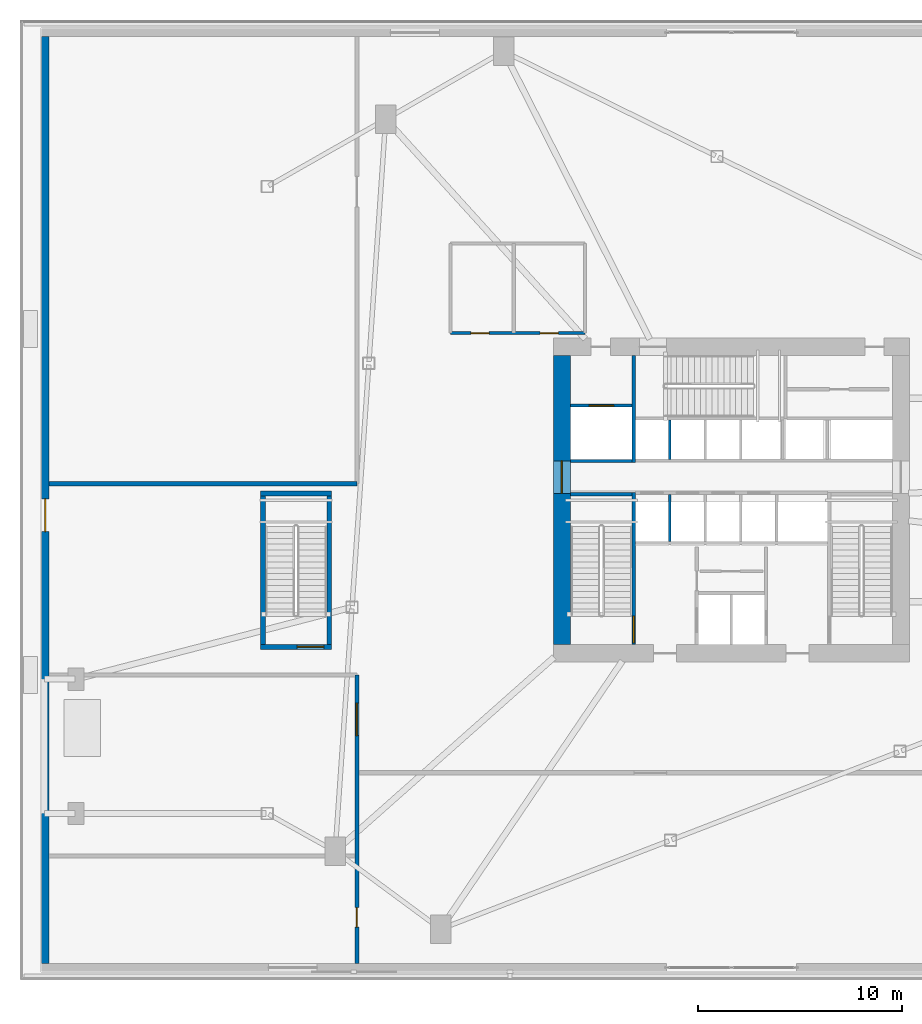
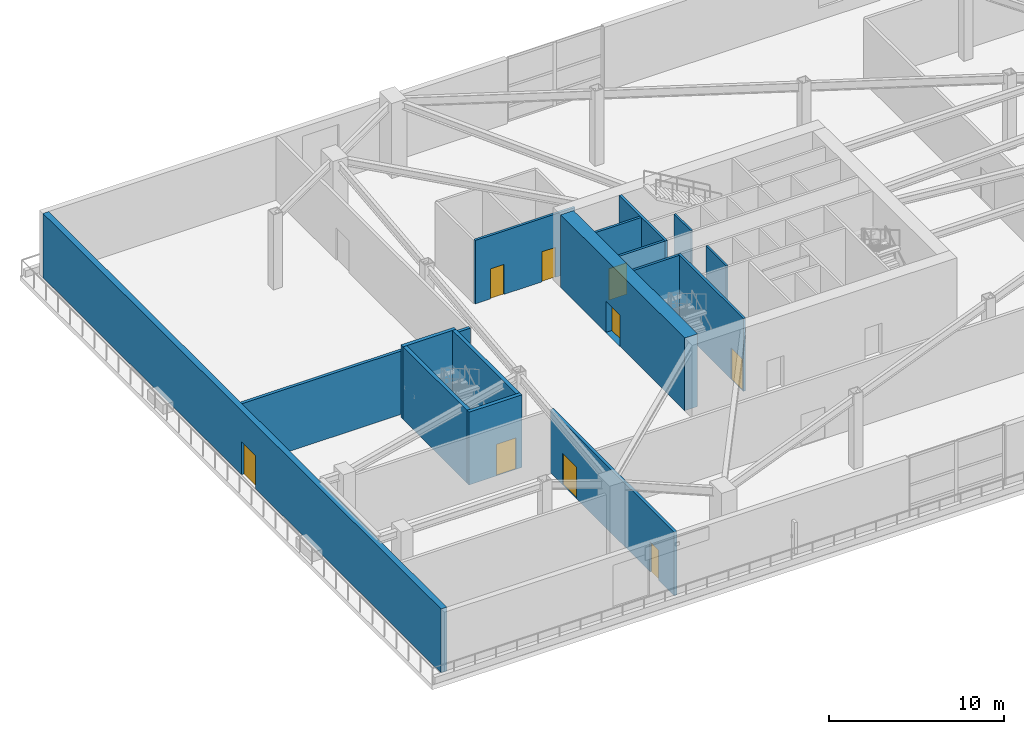
# One storey, part 8 of 15: 16 walls, 9 doors, 9 openings.
"""IFC4 building model written with IfcOpenShell, lengths in metres."""

from ifc_helpers import new_model, si_unit, direction, frame, frame_2d, origin, place, context, subcontext, project, spatial, rectangle, extrude, source, transform, mapped, material, layer, layer_set, type_object, type_shapes, element, fill, save


model = new_model("IFC4")

# Units and contexts
model_context = context("Model", 3, precision=1e-05, world=origin(), true_north=direction((0.0, 1.0)))
body_context = subcontext(model_context, "Body", "Model", "MODEL_VIEW")
ifc_project = project(units=[si_unit("LENGTHUNIT", "METRE"), si_unit("AREAUNIT", "SQUARE_METRE"), si_unit("VOLUMEUNIT", "CUBIC_METRE"), si_unit("PLANEANGLEUNIT", "RADIAN"), si_unit("MASSUNIT", "GRAM", prefix="KILO")], contexts=[model_context])

# Site, building, storey
site_placement = place(None, origin())
site = spatial("IfcSite", under=ifc_project, at=site_placement, CompositionType="ELEMENT")
building_placement = place(site_placement, origin())
building = spatial("IfcBuilding", under=site, at=building_placement, Name="Olszyna Solenne Hotel", CompositionType="ELEMENT")
storey_placement = place(building_placement, frame((0.0, 0.0, 10.199951171875)))
storey = spatial("IfcBuildingStorey", under=building, at=storey_placement, Name="L02", CompositionType="ELEMENT", Elevation=10.199951171875)

# Wall, opening, door
ifc_material_1 = material(Name="Concrete C60/75", Category="concrete")
ifc_layer_1 = layer(ifc_material_1, 0.85009765625, Name="Concrete C60/75")
ifc_layer_set_1 = layer_set([ifc_layer_1], Name="Concrete C60/75")
wall_type_1 = type_object("IfcWallType", Name="WL-CR850", PredefinedType="SHEAR", material=ifc_layer_set_1)
wall_1_placement = place(storey_placement, frame((29.675048828125, 19.5, 0.0), z_axis=(0.0, 0.0, 1.0), x_axis=(0.0, 1.0, 0.0)))
wall_1 = element("IfcWall", 1, at=wall_1_placement, inside=storey, type_object=wall_type_1, Name="Core shear wall WL-CR850 CRW-L02-W", PredefinedType="SHEAR", context=body_context, shape_type="SweptSolid", body=[
    extrude(rectangle(XDim=14.199951171875, YDim=0.85009765625, at=frame_2d((7.10009765625, 0.0))), origin(), (0.0, 0.0, 1.0), 5.080078125),
])
opening_1_placement = place(wall_1_placement, frame((7.419921875, 0.0, 0.0)))
opening_1 = element("IfcOpeningElement", 2, at=opening_1_placement, cuts=wall_1, Name="Opening LHD-L02-W", PredefinedType="OPENING", context=body_context, shape_type="SweptSolid", body=[
    extrude(rectangle(XDim=1.60009765625, YDim=2.199951171875, at=frame_2d((0.800048828125, 1.10009765625))), frame((0.0, 0.43505859375, 0.0), z_axis=(0.0, -1.0, 0.0), x_axis=(1.0, 0.0, 0.0)), (0.0, 0.0, 1.0), 0.8701171875),
])
ifc_material_2 = material(Name="Timber hardwood", Category="wood")
door_type_1 = type_object("IfcDoorType", Name="DR-CR1", OperationType="DOUBLE_DOOR_SINGLE_SWING", PredefinedType="DOOR", material=ifc_material_2)
shared_shape_1 = source(origin(), body_context, "Body", "SweptSolid", [
    extrude(rectangle(XDim=1.60009765625, YDim=2.199951171875, at=frame_2d((0.800048828125, 1.10009765625))), frame((0.0, 0.02490234375, 0.0), z_axis=(0.0, -1.0, 0.0), x_axis=(1.0, 0.0, 0.0)), (0.0, 0.0, 1.0), 0.050048828125),
])
type_shapes(door_type_1, [shared_shape_1])
door_1_placement = place(opening_1_placement, origin())
door_1 = element("IfcDoor", 3, at=door_1_placement, inside=storey, type_object=door_type_1, Name="Passenger lift lobby West fire door LHD-L02-W", OperationType="DOUBLE_DOOR_SINGLE_SWING", OverallHeight=2.199951171875, OverallWidth=1.60009765625, PredefinedType="DOOR", context=body_context, shape_type="MappedRepresentation", body=[
    mapped(shared_shape_1, transform((0.0, 0.0, 0.0), x_axis=(1.0, 0.0, 0.0), y_axis=(0.0, 1.0, 0.0), z_axis=(0.0, 0.0, 1.0), scale=1.0)),
])
fill(opening_1, door_1)

ifc_material_3 = material(Name="Terracotta cladding on precast concrete C45/55", Category="masonry")
ifc_layer_2 = layer(ifc_material_3, 0.3798828125, Name="Terracotta cladding on precast concrete C45/55")
ifc_layer_set_2 = layer_set([ifc_layer_2], Name="Terracotta cladding on precast concrete C45/55")
wall_type_2 = type_object("IfcWallType", Name="WL-EX380", PredefinedType="SOLIDWALL", material=ifc_layer_set_2)
wall_2_placement = place(storey_placement, frame((4.2900390625, 3.820068359375, 0.0), z_axis=(0.0, 0.0, 1.0), x_axis=(0.0, 1.0, 0.0)))
wall_2 = element("IfcWall", 4, at=wall_2_placement, inside=storey, type_object=wall_type_2, Name="Podium terracotta-precast exterior wall EW-L02-W", PredefinedType="SOLIDWALL", context=body_context, shape_type="SweptSolid", body=[
    extrude(rectangle(XDim=45.559814453125, YDim=0.3798828125, at=frame_2d((22.77978515625, 0.0))), origin(), (0.0, 0.0, 1.0), 4.47216796875),
])
opening_2_placement = place(wall_2_placement, frame((21.22998046875, 0.0, 0.0)))
opening_2 = element("IfcOpeningElement", 5, at=opening_2_placement, cuts=wall_2, Name="Opening TD-L02-W", PredefinedType="OPENING", context=body_context, shape_type="SweptSolid", body=[
    extrude(rectangle(XDim=1.60009765625, YDim=2.300048828125, at=frame_2d((0.800048828125, 1.14990234375))), frame((0.0, 0.199951171875, 0.0), z_axis=(0.0, -1.0, 0.0), x_axis=(1.0, 0.0, 0.0)), (0.0, 0.0, 1.0), 0.39990234375),
])
ifc_material_4 = material(Name="Anodised bronze aluminium", Category="aluminium")
door_type_2 = type_object("IfcDoorType", Name="DR-EX2", OperationType="DOUBLE_DOOR_SINGLE_SWING", PredefinedType="DOOR", material=ifc_material_4)
shared_shape_2 = source(origin(), body_context, "Body", "SweptSolid", [
    extrude(rectangle(XDim=1.60009765625, YDim=2.300048828125, at=frame_2d((0.800048828125, 1.14990234375))), frame((0.0, 0.02490234375, 0.0), z_axis=(0.0, -1.0, 0.0), x_axis=(1.0, 0.0, 0.0)), (0.0, 0.0, 1.0), 0.050048828125),
])
type_shapes(door_type_2, [shared_shape_2])
door_2_placement = place(opening_2_placement, origin())
door_2 = element("IfcDoor", 6, at=door_2_placement, inside=storey, type_object=door_type_2, Name="Garden Terrace Double Door TD-L02-W", OperationType="DOUBLE_DOOR_SINGLE_SWING", OverallHeight=2.300048828125, OverallWidth=1.60009765625, PredefinedType="DOOR", context=body_context, shape_type="MappedRepresentation", body=[
    mapped(shared_shape_2, transform((0.0, 0.0, 0.0), x_axis=(1.0, 0.0, 0.0), y_axis=(0.0, 1.0, 0.0), z_axis=(0.0, 0.0, 1.0), scale=1.0)),
])
fill(opening_2, door_2)

# Walls
ifc_material_5 = material(Name="Acoustic gypsum partition", Category="gypsum")
ifc_layer_3 = layer(ifc_material_5, 0.125, Name="Acoustic gypsum partition")
ifc_layer_set_3 = layer_set([ifc_layer_3], Name="Acoustic gypsum partition")
wall_type_3 = type_object("IfcWallType", Name="WL-PT125", PredefinedType="PARTITIONING", material=ifc_layer_set_3)
wall_3_placement = place(storey_placement, frame((34.965087890625, 24.56005859375, 0.0), z_axis=(0.0, 0.0, 1.0), x_axis=(0.0, 1.0, 0.0)))
element("IfcWall", 7, at=wall_3_placement, inside=storey, type_object=wall_type_3, Name="Core shaft compartment wall CW-L02-DIVS349", PredefinedType="PARTITIONING", context=body_context, shape_type="SweptSolid", body=[
    extrude(rectangle(XDim=2.31005859375, YDim=0.125, at=frame_2d((1.155029296875, 0.0))), origin(), (0.0, 0.0, 1.0), 5.080078125),
])
wall_4_placement = place(storey_placement, frame((34.965087890625, 28.60009765625, 0.0), z_axis=(0.0, 0.0, 1.0), x_axis=(0.0, 1.0, 0.0)))
element("IfcWall", 8, at=wall_4_placement, inside=storey, type_object=wall_type_3, Name="Core shaft compartment wall CW-L02-DIVN349", PredefinedType="PARTITIONING", context=body_context, shape_type="SweptSolid", body=[
    extrude(rectangle(XDim=1.919921875, YDim=0.125, at=frame_2d((0.9599609375, 0.0))), origin(), (0.0, 0.0, 1.0), 5.080078125),
])

# Wall, opening, door
ifc_layer_4 = layer(ifc_material_5, 0.159912109375, Name="Acoustic gypsum partition")
ifc_layer_set_4 = layer_set([ifc_layer_4], Name="Acoustic gypsum partition")
wall_type_4 = type_object("IfcWallType", Name="WL-PT160", PredefinedType="PARTITIONING", material=ifc_layer_set_4)
wall_5_placement = place(storey_placement, frame((33.199951171875, 19.5, 0.0), z_axis=(0.0, 0.0, 1.0), x_axis=(0.0, 1.0, 0.0)))
wall_5 = element("IfcWall", 9, at=wall_5_placement, inside=storey, type_object=wall_type_4, Name="Core shaft compartment wall CW-L02-ST1E", PredefinedType="PARTITIONING", context=body_context, shape_type="SweptSolid", body=[
    extrude(rectangle(XDim=7.4599609375, YDim=0.159912109375, at=frame_2d((3.72998046875, 0.0))), origin(), (0.0, 0.0, 1.0), 5.080078125),
])
opening_3_placement = place(wall_5_placement, frame((0.080078125, 0.0, 0.0)))
opening_3 = element("IfcOpeningElement", 10, at=opening_3_placement, cuts=wall_5, Name="Opening STD-L02-01", PredefinedType="OPENING", context=body_context, shape_type="SweptSolid", body=[
    extrude(rectangle(XDim=1.320068359375, YDim=2.199951171875, at=frame_2d((0.66015625, 1.10009765625))), frame((0.0, 0.08984375, 0.0), z_axis=(0.0, -1.0, 0.0), x_axis=(1.0, 0.0, 0.0)), (0.0, 0.0, 1.0), 0.179931640625),
])
ifc_material_6 = material(Name="Steel S355J2", Category="steel")
door_type_3 = type_object("IfcDoorType", Name="DR-ST1", OperationType="NOTDEFINED", PredefinedType="DOOR", material=ifc_material_6)
shared_shape_3 = source(origin(), body_context, "Body", "SweptSolid", [
    extrude(rectangle(XDim=1.320068359375, YDim=2.199951171875, at=frame_2d((0.66015625, 1.10009765625))), frame((0.0, 0.02490234375, 0.0), z_axis=(0.0, -1.0, 0.0), x_axis=(1.0, 0.0, 0.0)), (0.0, 0.0, 1.0), 0.050048828125),
])
type_shapes(door_type_3, [shared_shape_3])
door_3_placement = place(opening_3_placement, origin())
door_3 = element("IfcDoor", 11, at=door_3_placement, inside=storey, type_object=door_type_3, Name="Pressurised exit stair ST1 fire door STD-L02-01", OperationType="SINGLE_SWING_LEFT", OverallHeight=2.199951171875, OverallWidth=1.320068359375, PredefinedType="DOOR", context=body_context, shape_type="MappedRepresentation", body=[
    mapped(shared_shape_3, transform((0.0, 0.0, 0.0), x_axis=(1.0, 0.0, 0.0), y_axis=(0.0, 1.0, 0.0), z_axis=(0.0, 0.0, 1.0), scale=1.0)),
])
fill(opening_3, door_3)

# Walls
for number, where, z_axis, x_axis, name in (
    (12, (30.10009765625, 26.8798828125, 0.0), (0.0, 0.0, 1.0), (1.0, 0.0, 0.0), "Core shaft compartment wall CW-L02-ST1N"),
    (13, (30.10009765625, 28.52001953125, 0.0), (0.0, 0.0, 1.0), (1.0, 0.0, 0.0), "Core shaft compartment wall CW-L02-SV1S"),
):
    element("IfcWall", number, at=place(storey_placement, frame(where, z_axis=z_axis, x_axis=x_axis)), inside=storey, type_object=wall_type_4, Name=name, PredefinedType="PARTITIONING", context=body_context, shape_type="SweptSolid", body=[
        extrude(rectangle(XDim=3.02001953125, YDim=0.159912109375, at=frame_2d((1.510009765625, 0.0))), origin(), (0.0, 0.0, 1.0), 5.080078125),
    ])
wall_6_placement = place(storey_placement, frame((33.199951171875, 28.43994140625, 0.0), z_axis=(0.0, 0.0, 1.0), x_axis=(0.0, 1.0, 0.0)))
element("IfcWall", 14, at=wall_6_placement, inside=storey, type_object=wall_type_4, Name="Core shaft compartment wall CW-L02-SV1E", PredefinedType="PARTITIONING", context=body_context, shape_type="SweptSolid", body=[
    extrude(rectangle(XDim=5.260009765625, YDim=0.159912109375, at=frame_2d((2.6298828125, 0.0))), origin(), (0.0, 0.0, 1.0), 5.080078125),
])

# Wall, opening, door
wall_7_placement = place(storey_placement, frame((30.10009765625, 31.239990234375, 0.0), z_axis=(0.0, 0.0, 1.0), x_axis=(1.0, 0.0, 0.0)))
wall_7 = element("IfcWall", 15, at=wall_7_placement, inside=storey, type_object=wall_type_4, Name="Core shaft compartment wall CW-L02-SV1N", PredefinedType="PARTITIONING", context=body_context, shape_type="SweptSolid", body=[
    extrude(rectangle(XDim=3.02001953125, YDim=0.159912109375, at=frame_2d((1.510009765625, 0.0))), origin(), (0.0, 0.0, 1.0), 5.080078125),
])
opening_4_placement = place(wall_7_placement, frame((0.909912109375, 0.0, 0.0)))
opening_4 = element("IfcOpeningElement", 16, at=opening_4_placement, cuts=wall_7, Name="Opening LD-L02-SV1", PredefinedType="OPENING", context=body_context, shape_type="SweptSolid", body=[
    extrude(rectangle(XDim=1.199951171875, YDim=2.199951171875, at=frame_2d((0.60009765625, 1.10009765625))), frame((0.0, 0.08984375, 0.0), z_axis=(0.0, -1.0, 0.0), x_axis=(1.0, 0.0, 0.0)), (0.0, 0.0, 1.0), 0.179931640625),
])
door_type_4 = type_object("IfcDoorType", Name="LD-FF1", OperationType="DOUBLE_DOOR_SLIDING", PredefinedType="DOOR", material=ifc_material_6)
shared_shape_4 = source(origin(), body_context, "Body", "SweptSolid", [
    extrude(rectangle(XDim=1.199951171875, YDim=2.199951171875, at=frame_2d((0.60009765625, 1.10009765625))), frame((0.0, 0.02490234375, 0.0), z_axis=(0.0, -1.0, 0.0), x_axis=(1.0, 0.0, 0.0)), (0.0, 0.0, 1.0), 0.050048828125),
])
type_shapes(door_type_4, [shared_shape_4])
door_4_placement = place(opening_4_placement, origin())
door_4 = element("IfcDoor", 17, at=door_4_placement, inside=storey, type_object=door_type_4, Name="Service lift SV1 sliding landing door LD-L02-SV1", OperationType="DOUBLE_DOOR_SLIDING", OverallHeight=2.199951171875, OverallWidth=1.199951171875, PredefinedType="DOOR", context=body_context, shape_type="MappedRepresentation", body=[
    mapped(shared_shape_4, transform((0.0, 0.0, 0.0), x_axis=(1.0, 0.0, 0.0), y_axis=(0.0, 1.0, 0.0), z_axis=(0.0, 0.0, 1.0), scale=1.0)),
])
fill(opening_4, door_4)

# Wall, openings, doors
wall_8_placement = place(storey_placement, frame((24.199951171875, 34.800048828125, 0.0), z_axis=(0.0, 0.0, 1.0), x_axis=(1.0, 0.0, 0.0)))
wall_8 = element("IfcWall", 18, at=wall_8_placement, inside=storey, type_object=wall_type_4, Name="Interior acoustic partition WL-PT160 PW-L02-0190", PredefinedType="PARTITIONING", context=body_context, shape_type="SweptSolid", body=[
    extrude(rectangle(XDim=6.60009765625, YDim=0.159912109375, at=frame_2d((3.300048828125, 0.0))), origin(), (0.0, 0.0, 1.0), 4.429931640625),
])
opening_5_placement = place(wall_8_placement, frame((1.0, 0.0, 0.0)))
opening_5 = element("IfcOpeningElement", 19, at=opening_5_placement, cuts=wall_8, Name="Opening DR-L02-0041", PredefinedType="OPENING", context=body_context, shape_type="SweptSolid", body=[
    extrude(rectangle(XDim=0.89990234375, YDim=2.10009765625, at=frame_2d((0.449951171875, 1.050048828125))), frame((0.0, 0.08984375, 0.0), z_axis=(0.0, -1.0, 0.0), x_axis=(1.0, 0.0, 0.0)), (0.0, 0.0, 1.0), 0.179931640625),
])
opening_6_placement = place(wall_8_placement, frame((4.39990234375, 0.0, 0.0)))
opening_6 = element("IfcOpeningElement", 20, at=opening_6_placement, cuts=wall_8, Name="Opening DR-L02-0042", PredefinedType="OPENING", context=body_context, shape_type="SweptSolid", body=[
    extrude(rectangle(XDim=0.89990234375, YDim=2.10009765625, at=frame_2d((0.449951171875, 1.050048828125))), frame((0.0, 0.08984375, 0.0), z_axis=(0.0, -1.0, 0.0), x_axis=(1.0, 0.0, 0.0)), (0.0, 0.0, 1.0), 0.179931640625),
])
door_type_5 = type_object("IfcDoorType", Name="DR-WC1", OperationType="NOTDEFINED", PredefinedType="DOOR", material=ifc_material_2)
shared_shape_5 = source(origin(), body_context, "Body", "SweptSolid", [
    extrude(rectangle(XDim=0.89990234375, YDim=2.10009765625, at=frame_2d((0.449951171875, 1.050048828125))), frame((0.0, 0.02490234375, 0.0), z_axis=(0.0, -1.0, 0.0), x_axis=(1.0, 0.0, 0.0)), (0.0, 0.0, 1.0), 0.050048828125),
])
type_shapes(door_type_5, [shared_shape_5])
door_5_placement = place(opening_5_placement, origin())
door_5 = element("IfcDoor", 21, at=door_5_placement, inside=storey, type_object=door_type_5, Name="Accessible WC Door DR-L02-0041", OperationType="SINGLE_SWING_LEFT", OverallHeight=2.10009765625, OverallWidth=0.89990234375, PredefinedType="DOOR", context=body_context, shape_type="MappedRepresentation", body=[
    mapped(shared_shape_5, transform((0.0, 0.0, 0.0), x_axis=(1.0, 0.0, 0.0), y_axis=(0.0, 1.0, 0.0), z_axis=(0.0, 0.0, 1.0), scale=1.0)),
])
fill(opening_5, door_5)
door_6_placement = place(opening_6_placement, origin())
door_6 = element("IfcDoor", 22, at=door_6_placement, inside=storey, type_object=door_type_5, Name="Public Restrooms Door DR-L02-0042", OperationType="SINGLE_SWING_RIGHT", OverallHeight=2.10009765625, OverallWidth=0.89990234375, PredefinedType="DOOR", context=body_context, shape_type="MappedRepresentation", body=[
    mapped(shared_shape_5, transform((0.0, 0.0, 0.0), x_axis=(1.0, 0.0, 0.0), y_axis=(0.0, 1.0, 0.0), z_axis=(0.0, 0.0, 1.0), scale=1.0)),
])
fill(opening_6, door_6)

ifc_layer_5 = layer(ifc_material_5, 0.199951171875, Name="Acoustic gypsum partition")
ifc_layer_set_5 = layer_set([ifc_layer_5], Name="Acoustic gypsum partition")
wall_type_5 = type_object("IfcWallType", Name="WL-PT200", PredefinedType="PARTITIONING", material=ifc_layer_set_5)
wall_9_placement = place(storey_placement, frame((19.60009765625, 3.820068359375, 0.0), z_axis=(0.0, 0.0, 1.0), x_axis=(0.0, 1.0, 0.0)))
wall_9 = element("IfcWall", 23, at=wall_9_placement, inside=storey, type_object=wall_type_5, Name="Interior acoustic partition WL-PT200 PW-L02-0181", PredefinedType="PARTITIONING", context=body_context, shape_type="SweptSolid", body=[
    extrude(rectangle(XDim=14.179931640625, YDim=0.199951171875, at=frame_2d((7.08984375, 0.0))), origin(), (0.0, 0.0, 1.0), 4.429931640625),
])
opening_7_placement = place(wall_9_placement, frame((1.800048828125, 0.0, 0.0)))
opening_7 = element("IfcOpeningElement", 24, at=opening_7_placement, cuts=wall_9, Name="Opening DR-L02-0035", PredefinedType="OPENING", context=body_context, shape_type="SweptSolid", body=[
    extrude(rectangle(XDim=0.949951171875, YDim=2.10009765625, at=frame_2d((0.47509765625, 1.050048828125))), frame((0.0, 0.10986328125, 0.0), z_axis=(0.0, -1.0, 0.0), x_axis=(1.0, 0.0, 0.0)), (0.0, 0.0, 1.0), 0.219970703125),
])
opening_8_placement = place(wall_9_placement, frame((11.199951171875, 0.0, 0.0)))
opening_8 = element("IfcOpeningElement", 25, at=opening_8_placement, cuts=wall_9, Name="Opening DR-L02-0036", PredefinedType="OPENING", context=body_context, shape_type="SweptSolid", body=[
    extrude(rectangle(XDim=1.60009765625, YDim=2.199951171875, at=frame_2d((0.800048828125, 1.10009765625))), frame((0.0, 0.10986328125, 0.0), z_axis=(0.0, -1.0, 0.0), x_axis=(1.0, 0.0, 0.0)), (0.0, 0.0, 1.0), 0.219970703125),
])
door_type_6 = type_object("IfcDoorType", Name="DR-SV1", OperationType="NOTDEFINED", PredefinedType="DOOR", material=ifc_material_6)
shared_shape_6 = source(origin(), body_context, "Body", "SweptSolid", [
    extrude(rectangle(XDim=0.949951171875, YDim=2.10009765625, at=frame_2d((0.47509765625, 1.050048828125))), frame((0.0, 0.02490234375, 0.0), z_axis=(0.0, -1.0, 0.0), x_axis=(1.0, 0.0, 0.0)), (0.0, 0.0, 1.0), 0.050048828125),
])
type_shapes(door_type_6, [shared_shape_6])
door_7_placement = place(opening_7_placement, origin())
door_7 = element("IfcDoor", 26, at=door_7_placement, inside=storey, type_object=door_type_6, Name="West Room Door DR-L02-0035", OperationType="SINGLE_SWING_LEFT", OverallHeight=2.10009765625, OverallWidth=0.949951171875, PredefinedType="DOOR", context=body_context, shape_type="MappedRepresentation", body=[
    mapped(shared_shape_6, transform((0.0, 0.0, 0.0), x_axis=(1.0, 0.0, 0.0), y_axis=(0.0, 1.0, 0.0), z_axis=(0.0, 0.0, 1.0), scale=1.0)),
])
fill(opening_7, door_7)
door_8_placement = place(opening_8_placement, origin())
door_8 = element("IfcDoor", 27, at=door_8_placement, inside=storey, type_object=door_type_1, Name="West Salon Door DR-L02-0036", OperationType="DOUBLE_DOOR_SINGLE_SWING", OverallHeight=2.199951171875, OverallWidth=1.60009765625, PredefinedType="DOOR", context=body_context, shape_type="MappedRepresentation", body=[
    mapped(shared_shape_1, transform((0.0, 0.0, 0.0), x_axis=(1.0, 0.0, 0.0), y_axis=(0.0, 1.0, 0.0), z_axis=(0.0, 0.0, 1.0), scale=1.0)),
])
fill(opening_8, door_8)

# Wall
wall_10_placement = place(storey_placement, frame((4.47998046875, 27.39990234375, 0.0), z_axis=(0.0, 0.0, 1.0), x_axis=(1.0, 0.0, 0.0)))
element("IfcWall", 28, at=wall_10_placement, inside=storey, type_object=wall_type_5, Name="Interior acoustic partition WL-PT200 PW-L02-0185", PredefinedType="PARTITIONING", context=body_context, shape_type="SweptSolid", body=[
    extrude(rectangle(XDim=15.1201171875, YDim=0.199951171875, at=frame_2d((7.56005859375, 0.0))), origin(), (0.0, 0.0, 1.0), 4.429931640625),
])

# Wall, opening, door
ifc_layer_6 = layer(ifc_material_5, 0.239990234375, Name="Acoustic gypsum partition")
ifc_layer_set_6 = layer_set([ifc_layer_6], Name="Acoustic gypsum partition")
wall_type_6 = type_object("IfcWallType", Name="WL-PT240", PredefinedType="PARTITIONING", material=ifc_layer_set_6)
wall_11_placement = place(storey_placement, frame((18.360107421875, 19.3798828125, 0.0), z_axis=(0.0, 0.0, 1.0), x_axis=(-1.0, 0.0, 0.0)))
wall_11 = element("IfcWall", 29, at=wall_11_placement, inside=storey, type_object=wall_type_6, Name="Core shaft compartment wall CW-L02-ST4S", PredefinedType="PARTITIONING", context=body_context, shape_type="SweptSolid", body=[
    extrude(rectangle(XDim=3.5, YDim=0.239990234375, at=frame_2d((1.75, 0.0))), origin(), (0.0, 0.0, 1.0), 5.080078125),
])
opening_9_placement = place(wall_11_placement, frame((0.3798828125, 0.0, 0.0)))
opening_9 = element("IfcOpeningElement", 30, at=opening_9_placement, cuts=wall_11, Name="Opening STD-L02-04", PredefinedType="OPENING", context=body_context, shape_type="SweptSolid", body=[
    extrude(rectangle(XDim=1.320068359375, YDim=2.199951171875, at=frame_2d((0.66015625, 1.10009765625))), frame((0.0, 0.1298828125, 0.0), z_axis=(0.0, -1.0, 0.0), x_axis=(1.0, 0.0, 0.0)), (0.0, 0.0, 1.0), 0.260009765625),
])
door_9_placement = place(opening_9_placement, origin())
door_9 = element("IfcDoor", 31, at=door_9_placement, inside=storey, type_object=door_type_3, Name="Podium exit stair ST4 fire door STD-L02-04", OperationType="SINGLE_SWING_LEFT", OverallHeight=2.199951171875, OverallWidth=1.320068359375, PredefinedType="DOOR", context=body_context, shape_type="MappedRepresentation", body=[
    mapped(shared_shape_3, transform((0.0, 0.0, 0.0), x_axis=(1.0, 0.0, 0.0), y_axis=(0.0, 1.0, 0.0), z_axis=(0.0, 0.0, 1.0), scale=1.0)),
])
fill(opening_9, door_9)

# Walls
wall_12_placement = place(storey_placement, frame((14.860107421875, 26.919921875, 0.0), z_axis=(0.0, 0.0, 1.0), x_axis=(1.0, 0.0, 0.0)))
element("IfcWall", 32, at=wall_12_placement, inside=storey, type_object=wall_type_6, Name="Core shaft compartment wall CW-L02-ST4N", PredefinedType="PARTITIONING", context=body_context, shape_type="SweptSolid", body=[
    extrude(rectangle(XDim=3.5, YDim=0.239990234375, at=frame_2d((1.75, 0.0))), origin(), (0.0, 0.0, 1.0), 5.080078125),
])
for number, where, z_axis, x_axis, name in (
    (33, (14.97998046875, 19.5, 0.0), (0.0, 0.0, 1.0), (0.0, 1.0, 0.0), "Core shaft compartment wall CW-L02-ST4W"),
    (34, (18.239990234375, 26.800048828125, 0.0), (0.0, 0.0, 1.0), (0.0, -1.0, 0.0), "Core shaft compartment wall CW-L02-ST4E"),
):
    element("IfcWall", number, at=place(storey_placement, frame(where, z_axis=z_axis, x_axis=x_axis)), inside=storey, type_object=wall_type_6, Name=name, PredefinedType="PARTITIONING", context=body_context, shape_type="SweptSolid", body=[
        extrude(rectangle(XDim=7.300048828125, YDim=0.239990234375, at=frame_2d((3.64990234375, 0.0))), origin(), (0.0, 0.0, 1.0), 5.080078125),
    ])

save(model, "model.ifc")
